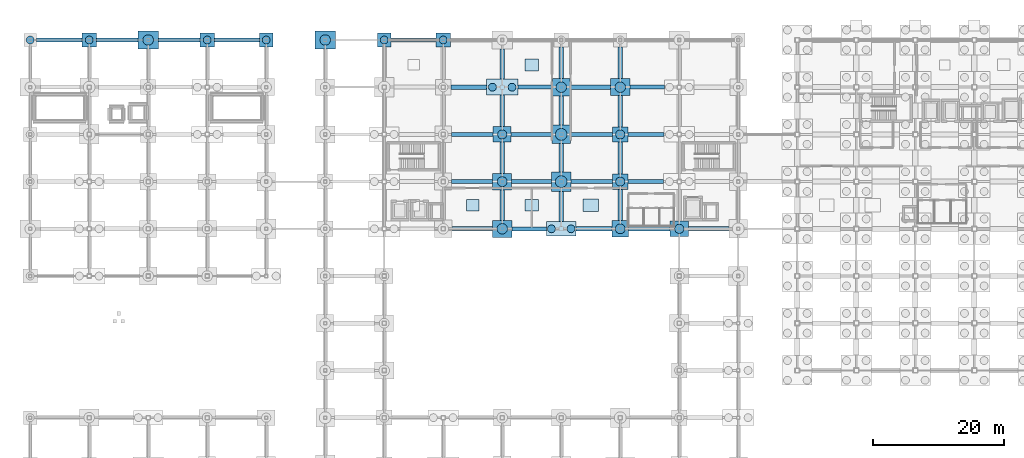
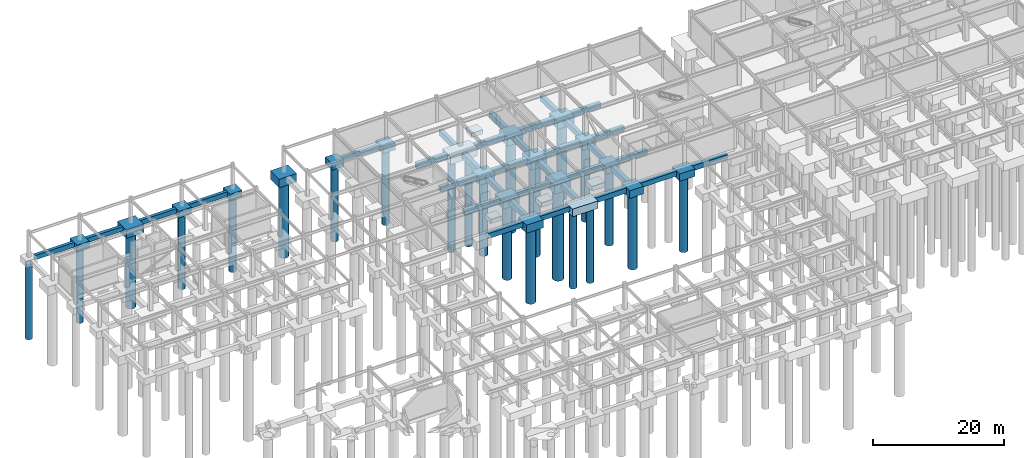
# One storey, part 7 of 28: 58 footings, 23 piles.
"""IFC4 building model written with IfcOpenShell, lengths in metres."""

from ifc_helpers import new_model, si_unit, direction, frame, origin, origin_2d, place, context, subcontext, project, spatial, rectangle, circle, extrude, material, material_profile, profile_set, type_object, element, save


model = new_model("IFC4")

# Units and contexts
model_context = context("Model", 3, precision=1e-05, world=origin(), true_north=direction((0.0, 1.0)))
body_context = subcontext(model_context, "Body", "Model", "MODEL_VIEW")
ifc_project = project(units=[si_unit("LENGTHUNIT", "METRE"), si_unit("AREAUNIT", "SQUARE_METRE"), si_unit("VOLUMEUNIT", "CUBIC_METRE"), si_unit("PLANEANGLEUNIT", "RADIAN"), si_unit("MASSUNIT", "GRAM", prefix="KILO")], contexts=[model_context])

# Site, building, storey
site_placement = place(None, origin())
site = spatial("IfcSite", under=ifc_project, at=site_placement, CompositionType="ELEMENT")
building_placement = place(site_placement, origin())
building = spatial("IfcBuilding", under=site, at=building_placement, Name="Kazanami Central Library", CompositionType="ELEMENT")
storey_placement = place(building_placement, frame((0.0, 0.0, -4.89990234375)))
storey = spatial("IfcBuildingStorey", under=building, at=storey_placement, Name="B01", CompositionType="ELEMENT", Elevation=-4.89990234375)

# Footings
ifc_material_1 = material(Name="Concrete Fc36 (36 MPa)", Category="concrete")
ifc_material_profile_1 = material_profile(ifc_material_1, rectangle(XDim=0.550048828125, YDim=0.85009765625, at=origin_2d()), Name="RC-550x850")
ifc_profile_set_1 = profile_set([ifc_material_profile_1], Name="Concrete Fc36 (36 MPa)")
footing_type_1 = type_object("IfcFootingType", Name="FTG-GB-01", PredefinedType="FOOTING_BEAM", material=ifc_profile_set_1)
footing_1_placement = place(storey_placement, frame((0.97509765625, 93.60009765625, -0.425048828125), z_axis=(1.0, 0.0, 0.0), x_axis=(0.0, 1.0, 0.0)))
element("IfcFooting", 1, at=footing_1_placement, inside=storey, type_object=footing_type_1, Name="Ground Tie Beam GB-01 O/1-2", PredefinedType="FOOTING_BEAM", context=body_context, shape_type="SweptSolid", body=[
    extrude(rectangle(XDim=0.550048828125, YDim=0.85009765625, at=origin_2d()), origin(), (0.0, 0.0, 1.0), 6.9248046875),
])
for number, where, z_axis, x_axis, name in (
    (2, (10.10009765625, 93.60009765625, -0.425048828125), (1.0, 0.0, 0.0), (0.0, 1.0, 0.0), "Ground Tie Beam GB-01 O/2-3"),
    (3, (19.550048828125, 93.60009765625, -0.425048828125), (1.0, 0.0, 0.0), (0.0, 1.0, 0.0), "Ground Tie Beam GB-01 O/3-4"),
):
    element("IfcFooting", number, at=place(storey_placement, frame(where, z_axis=z_axis, x_axis=x_axis)), inside=storey, type_object=footing_type_1, Name=name, PredefinedType="FOOTING_BEAM", context=body_context, shape_type="SweptSolid", body=[
        extrude(rectangle(XDim=0.550048828125, YDim=0.85009765625, at=origin_2d()), origin(), (0.0, 0.0, 1.0), 6.349853515625),
    ])
for number, where, z_axis, x_axis, name in (
    (4, (28.10009765625, 93.60009765625, -0.425048828125), (1.0, 0.0, 0.0), (0.0, 1.0, 0.0), "Ground Tie Beam GB-01 O/4-5"),
    (5, (55.050048828125, 93.60009765625, -1.045166015625), (1.0, 0.0, 0.0), (0.0, 1.0, 0.0), "Ground Tie Beam GB-01 O/7-8"),
):
    element("IfcFooting", number, at=place(storey_placement, frame(where, z_axis=z_axis, x_axis=x_axis)), inside=storey, type_object=footing_type_1, Name=name, PredefinedType="FOOTING_BEAM", context=body_context, shape_type="SweptSolid", body=[
        extrude(rectangle(XDim=0.550048828125, YDim=0.85009765625, at=origin_2d()), origin(), (0.0, 0.0, 1.0), 6.849853515625),
    ])
ifc_material_profile_2 = material_profile(ifc_material_1, rectangle(XDim=0.60009765625, YDim=0.89990234375, at=origin_2d()), Name="RC-600x900")
ifc_profile_set_2 = profile_set([ifc_material_profile_2], Name="Concrete Fc36 (36 MPa)")
footing_type_2 = type_object("IfcFootingType", Name="FTG-GB-02", PredefinedType="FOOTING_BEAM", material=ifc_profile_set_2)
footing_2_placement = place(storey_placement, frame((73.5, 64.800048828125, -1.070068359375), z_axis=(1.0, 0.0, 0.0), x_axis=(0.0, 1.0, 0.0)))
element("IfcFooting", 6, at=footing_2_placement, inside=storey, type_object=footing_type_2, Name="Ground Tie Beam GB-02 K/9-10", PredefinedType="FOOTING_BEAM", context=body_context, shape_type="SweptSolid", body=[
    extrude(rectangle(XDim=0.60009765625, YDim=0.89990234375, at=origin_2d()), origin(), (0.0, 0.0, 1.0), 5.25),
])
footing_3_placement = place(storey_placement, frame((91.25, 64.800048828125, -1.070068359375), z_axis=(1.0, 0.0, 0.0), x_axis=(0.0, 1.0, 0.0)))
element("IfcFooting", 7, at=footing_3_placement, inside=storey, type_object=footing_type_2, Name="Ground Tie Beam GB-02 K/11-12", PredefinedType="FOOTING_BEAM", context=body_context, shape_type="SweptSolid", body=[
    extrude(rectangle(XDim=0.60009765625, YDim=0.89990234375, at=origin_2d()), origin(), (0.0, 0.0, 1.0), 6.375),
])
footing_4_placement = place(storey_placement, frame((73.449951171875, 72.0, -1.070068359375), z_axis=(1.0, 0.0, 0.0), x_axis=(0.0, 1.0, 0.0)))
element("IfcFooting", 8, at=footing_4_placement, inside=storey, type_object=footing_type_2, Name="Ground Tie Beam GB-02 L/9-10", PredefinedType="FOOTING_BEAM", context=body_context, shape_type="SweptSolid", body=[
    extrude(rectangle(XDim=0.60009765625, YDim=0.89990234375, at=origin_2d()), origin(), (0.0, 0.0, 1.0), 6.074951171875),
])
footing_5_placement = place(storey_placement, frame((91.199951171875, 72.0, -1.070068359375), z_axis=(1.0, 0.0, 0.0), x_axis=(0.0, 1.0, 0.0)))
element("IfcFooting", 9, at=footing_5_placement, inside=storey, type_object=footing_type_2, Name="Ground Tie Beam GB-02 L/11-12", PredefinedType="FOOTING_BEAM", context=body_context, shape_type="SweptSolid", body=[
    extrude(rectangle(XDim=0.60009765625, YDim=0.89990234375, at=origin_2d()), origin(), (0.0, 0.0, 1.0), 5.400146484375),
])
footing_6_placement = place(storey_placement, frame((73.375, 79.199951171875, -1.070068359375), z_axis=(1.0, 0.0, 0.0), x_axis=(0.0, 1.0, 0.0)))
element("IfcFooting", 10, at=footing_6_placement, inside=storey, type_object=footing_type_2, Name="Ground Tie Beam GB-02 M/9-10", PredefinedType="FOOTING_BEAM", context=body_context, shape_type="SweptSolid", body=[
    extrude(rectangle(XDim=0.60009765625, YDim=0.89990234375, at=origin_2d()), origin(), (0.0, 0.0, 1.0), 6.22509765625),
])
footing_7_placement = place(storey_placement, frame((91.14990234375, 79.199951171875, -1.070068359375), z_axis=(1.0, 0.0, 0.0), x_axis=(0.0, 1.0, 0.0)))
element("IfcFooting", 11, at=footing_7_placement, inside=storey, type_object=footing_type_2, Name="Ground Tie Beam GB-02 M/11-12", PredefinedType="FOOTING_BEAM", context=body_context, shape_type="SweptSolid", body=[
    extrude(rectangle(XDim=0.60009765625, YDim=0.89990234375, at=origin_2d()), origin(), (0.0, 0.0, 1.0), 5.525146484375),
])
for number, where, z_axis, x_axis, name in (
    (12, (74.39990234375, 86.39990234375, -1.070068359375), (1.0, 0.0, 0.0), (0.0, 1.0, 0.0), "Ground Tie Beam GB-02 N/9-10"),
    (13, (91.5, 86.39990234375, -1.070068359375), (1.0, 0.0, 0.0), (0.0, 1.0, 0.0), "Ground Tie Beam GB-02 N/11-12"),
):
    element("IfcFooting", number, at=place(storey_placement, frame(where, z_axis=z_axis, x_axis=x_axis)), inside=storey, type_object=footing_type_2, Name=name, PredefinedType="FOOTING_BEAM", context=body_context, shape_type="SweptSolid", body=[
        extrude(rectangle(XDim=0.60009765625, YDim=0.89990234375, at=origin_2d()), origin(), (0.0, 0.0, 1.0), 5.25),
    ])
ifc_material_profile_3 = material_profile(ifc_material_1, rectangle(XDim=0.64990234375, YDim=0.949951171875, at=origin_2d()), Name="RC-650x950")
ifc_profile_set_3 = profile_set([ifc_material_profile_3], Name="Concrete Fc36 (36 MPa)")
footing_type_3 = type_object("IfcFootingType", Name="FTG-GB-03", PredefinedType="FOOTING_BEAM", material=ifc_profile_set_3)
footing_8_placement = place(storey_placement, frame((64.35009765625, 64.800048828125, -1.09521484375), z_axis=(1.0, 0.0, 0.0), x_axis=(0.0, 1.0, 0.0)))
element("IfcFooting", 14, at=footing_8_placement, inside=storey, type_object=footing_type_3, Name="Ground Tie Beam GB-03 K/8-9", PredefinedType="FOOTING_BEAM", context=body_context, shape_type="SweptSolid", body=[
    extrude(rectangle(XDim=0.64990234375, YDim=0.949951171875, at=origin_2d()), origin(), (0.0, 0.0, 1.0), 6.14990234375),
])
footing_9_placement = place(storey_placement, frame((83.25, 64.800048828125, -1.09521484375), z_axis=(1.0, 0.0, 0.0), x_axis=(0.0, 1.0, 0.0)))
element("IfcFooting", 15, at=footing_9_placement, inside=storey, type_object=footing_type_3, Name="Ground Tie Beam GB-03 K/10-11", PredefinedType="FOOTING_BEAM", context=body_context, shape_type="SweptSolid", body=[
    extrude(rectangle(XDim=0.64990234375, YDim=0.949951171875, at=origin_2d()), origin(), (0.0, 0.0, 1.0), 5.5),
])
footing_10_placement = place(storey_placement, frame((100.375, 64.800048828125, -1.09521484375), z_axis=(1.0, 0.0, 0.0), x_axis=(0.0, 1.0, 0.0)))
element("IfcFooting", 16, at=footing_10_placement, inside=storey, type_object=footing_type_3, Name="Ground Tie Beam GB-03 K/12-13", PredefinedType="FOOTING_BEAM", context=body_context, shape_type="SweptSolid", body=[
    extrude(rectangle(XDim=0.64990234375, YDim=0.949951171875, at=origin_2d()), origin(), (0.0, 0.0, 1.0), 6.22509765625),
])
footing_11_placement = place(storey_placement, frame((64.300048828125, 72.0, -1.09521484375), z_axis=(1.0, 0.0, 0.0), x_axis=(0.0, 1.0, 0.0)))
element("IfcFooting", 17, at=footing_11_placement, inside=storey, type_object=footing_type_3, Name="Ground Tie Beam GB-03 L/8-9", PredefinedType="FOOTING_BEAM", context=body_context, shape_type="SweptSolid", body=[
    extrude(rectangle(XDim=0.64990234375, YDim=0.949951171875, at=origin_2d()), origin(), (0.0, 0.0, 1.0), 6.25),
])
footing_12_placement = place(storey_placement, frame((82.47509765625, 72.0, -1.09521484375), z_axis=(1.0, 0.0, 0.0), x_axis=(0.0, 1.0, 0.0)))
element("IfcFooting", 18, at=footing_12_placement, inside=storey, type_object=footing_type_3, Name="Ground Tie Beam GB-03 L/10-11", PredefinedType="FOOTING_BEAM", context=body_context, shape_type="SweptSolid", body=[
    extrude(rectangle(XDim=0.64990234375, YDim=0.949951171875, at=origin_2d()), origin(), (0.0, 0.0, 1.0), 6.324951171875),
])
footing_13_placement = place(storey_placement, frame((64.25, 79.199951171875, -1.09521484375), z_axis=(1.0, 0.0, 0.0), x_axis=(0.0, 1.0, 0.0)))
element("IfcFooting", 19, at=footing_13_placement, inside=storey, type_object=footing_type_3, Name="Ground Tie Beam GB-03 M/8-9", PredefinedType="FOOTING_BEAM", context=body_context, shape_type="SweptSolid", body=[
    extrude(rectangle(XDim=0.64990234375, YDim=0.949951171875, at=origin_2d()), origin(), (0.0, 0.0, 1.0), 6.375),
])
footing_14_placement = place(storey_placement, frame((82.39990234375, 79.199951171875, -1.09521484375), z_axis=(1.0, 0.0, 0.0), x_axis=(0.0, 1.0, 0.0)))
element("IfcFooting", 20, at=footing_14_placement, inside=storey, type_object=footing_type_3, Name="Ground Tie Beam GB-03 M/10-11", PredefinedType="FOOTING_BEAM", context=body_context, shape_type="SweptSolid", body=[
    extrude(rectangle(XDim=0.64990234375, YDim=0.949951171875, at=origin_2d()), origin(), (0.0, 0.0, 1.0), 6.4501953125),
])
footing_15_placement = place(storey_placement, frame((64.199951171875, 86.39990234375, -1.09521484375), z_axis=(1.0, 0.0, 0.0), x_axis=(0.0, 1.0, 0.0)))
element("IfcFooting", 21, at=footing_15_placement, inside=storey, type_object=footing_type_3, Name="Ground Tie Beam GB-03 N/8-9", PredefinedType="FOOTING_BEAM", context=body_context, shape_type="SweptSolid", body=[
    extrude(rectangle(XDim=0.64990234375, YDim=0.949951171875, at=origin_2d()), origin(), (0.0, 0.0, 1.0), 5.400146484375),
])
footing_16_placement = place(storey_placement, frame((82.35009765625, 86.39990234375, -1.09521484375), z_axis=(1.0, 0.0, 0.0), x_axis=(0.0, 1.0, 0.0)))
element("IfcFooting", 22, at=footing_16_placement, inside=storey, type_object=footing_type_3, Name="Ground Tie Beam GB-03 N/10-11", PredefinedType="FOOTING_BEAM", context=body_context, shape_type="SweptSolid", body=[
    extrude(rectangle(XDim=0.64990234375, YDim=0.949951171875, at=origin_2d()), origin(), (0.0, 0.0, 1.0), 6.14990234375),
])
ifc_material_profile_4 = material_profile(ifc_material_1, rectangle(XDim=0.699951171875, YDim=1.0, at=origin_2d()), Name="RC-700x1000")
ifc_profile_set_4 = profile_set([ifc_material_profile_4], Name="Concrete Fc36 (36 MPa)")
footing_type_4 = type_object("IfcFootingType", Name="FTG-GB-04", PredefinedType="FOOTING_BEAM", material=ifc_profile_set_4)
footing_17_placement = place(storey_placement, frame((72.0, 66.10009765625, -1.1201171875), z_axis=(0.0, 1.0, 0.0), x_axis=(-1.0, 0.0, 0.0)))
element("IfcFooting", 23, at=footing_17_placement, inside=storey, type_object=footing_type_4, Name="Ground Tie Beam GB-04 9/K-L", PredefinedType="FOOTING_BEAM", context=body_context, shape_type="SweptSolid", body=[
    extrude(rectangle(XDim=0.699951171875, YDim=1.0, at=origin_2d()), origin(), (0.0, 0.0, 1.0), 4.64990234375),
])
footing_18_placement = place(storey_placement, frame((72.0, 73.25, -1.1201171875), z_axis=(0.0, 1.0, 0.0), x_axis=(-1.0, 0.0, 0.0)))
element("IfcFooting", 24, at=footing_18_placement, inside=storey, type_object=footing_type_4, Name="Ground Tie Beam GB-04 9/L-M", PredefinedType="FOOTING_BEAM", context=body_context, shape_type="SweptSolid", body=[
    extrude(rectangle(XDim=0.699951171875, YDim=1.0, at=origin_2d()), origin(), (0.0, 0.0, 1.0), 4.77490234375),
])
footing_19_placement = place(storey_placement, frame((72.0, 80.375, -1.1201171875), z_axis=(0.0, 1.0, 0.0), x_axis=(-1.0, 0.0, 0.0)))
element("IfcFooting", 25, at=footing_19_placement, inside=storey, type_object=footing_type_4, Name="Ground Tie Beam GB-04 9/M-N", PredefinedType="FOOTING_BEAM", context=body_context, shape_type="SweptSolid", body=[
    extrude(rectangle(XDim=0.699951171875, YDim=1.0, at=origin_2d()), origin(), (0.0, 0.0, 1.0), 4.800048828125),
])
footing_20_placement = place(storey_placement, frame((72.0, 87.625, -1.1201171875), z_axis=(0.0, 1.0, 0.0), x_axis=(-1.0, 0.0, 0.0)))
element("IfcFooting", 26, at=footing_20_placement, inside=storey, type_object=footing_type_4, Name="Ground Tie Beam GB-04 9/N-O", PredefinedType="FOOTING_BEAM", context=body_context, shape_type="SweptSolid", body=[
    extrude(rectangle(XDim=0.699951171875, YDim=1.0, at=origin_2d()), origin(), (0.0, 0.0, 1.0), 4.625),
])
footing_21_placement = place(storey_placement, frame((81.0, 65.925048828125, -1.1201171875), z_axis=(0.0, 1.0, 0.0), x_axis=(-1.0, 0.0, 0.0)))
element("IfcFooting", 27, at=footing_21_placement, inside=storey, type_object=footing_type_4, Name="Ground Tie Beam GB-04 10/K-L", PredefinedType="FOOTING_BEAM", context=body_context, shape_type="SweptSolid", body=[
    extrude(rectangle(XDim=0.699951171875, YDim=1.0, at=origin_2d()), origin(), (0.0, 0.0, 1.0), 4.599853515625),
])
footing_22_placement = place(storey_placement, frame((81.0, 73.47509765625, -1.1201171875), z_axis=(0.0, 1.0, 0.0), x_axis=(-1.0, 0.0, 0.0)))
element("IfcFooting", 28, at=footing_22_placement, inside=storey, type_object=footing_type_4, Name="Ground Tie Beam GB-04 10/L-M", PredefinedType="FOOTING_BEAM", context=body_context, shape_type="SweptSolid", body=[
    extrude(rectangle(XDim=0.699951171875, YDim=1.0, at=origin_2d()), origin(), (0.0, 0.0, 1.0), 4.324951171875),
])
footing_23_placement = place(storey_placement, frame((81.0, 80.60009765625, -1.1201171875), z_axis=(0.0, 1.0, 0.0), x_axis=(-1.0, 0.0, 0.0)))
element("IfcFooting", 29, at=footing_23_placement, inside=storey, type_object=footing_type_4, Name="Ground Tie Beam GB-04 10/M-N", PredefinedType="FOOTING_BEAM", context=body_context, shape_type="SweptSolid", body=[
    extrude(rectangle(XDim=0.699951171875, YDim=1.0, at=origin_2d()), origin(), (0.0, 0.0, 1.0), 4.449951171875),
])
for number, where, z_axis, x_axis, name in (
    (30, (81.0, 87.75, -1.1201171875), (0.0, 1.0, 0.0), (-1.0, 0.0, 0.0), "Ground Tie Beam GB-04 10/N-O"),
    (31, (90.0, 66.050048828125, -1.1201171875), (0.0, 1.0, 0.0), (-1.0, 0.0, 0.0), "Ground Tie Beam GB-04 11/K-L"),
):
    element("IfcFooting", number, at=place(storey_placement, frame(where, z_axis=z_axis, x_axis=x_axis)), inside=storey, type_object=footing_type_4, Name=name, PredefinedType="FOOTING_BEAM", context=body_context, shape_type="SweptSolid", body=[
        extrude(rectangle(XDim=0.699951171875, YDim=1.0, at=origin_2d()), origin(), (0.0, 0.0, 1.0), 4.75),
    ])
footing_24_placement = place(storey_placement, frame((90.0, 73.199951171875, -1.1201171875), z_axis=(0.0, 1.0, 0.0), x_axis=(-1.0, 0.0, 0.0)))
element("IfcFooting", 32, at=footing_24_placement, inside=storey, type_object=footing_type_4, Name="Ground Tie Beam GB-04 11/L-M", PredefinedType="FOOTING_BEAM", context=body_context, shape_type="SweptSolid", body=[
    extrude(rectangle(XDim=0.699951171875, YDim=1.0, at=origin_2d()), origin(), (0.0, 0.0, 1.0), 4.85009765625),
])
footing_25_placement = place(storey_placement, frame((90.0, 80.35009765625, -1.1201171875), z_axis=(0.0, 1.0, 0.0), x_axis=(-1.0, 0.0, 0.0)))
element("IfcFooting", 33, at=footing_25_placement, inside=storey, type_object=footing_type_4, Name="Ground Tie Beam GB-04 11/M-N", PredefinedType="FOOTING_BEAM", context=body_context, shape_type="SweptSolid", body=[
    extrude(rectangle(XDim=0.699951171875, YDim=1.0, at=origin_2d()), origin(), (0.0, 0.0, 1.0), 4.75),
])
footing_26_placement = place(storey_placement, frame((90.0, 87.699951171875, -1.1201171875), z_axis=(0.0, 1.0, 0.0), x_axis=(-1.0, 0.0, 0.0)))
element("IfcFooting", 34, at=footing_26_placement, inside=storey, type_object=footing_type_4, Name="Ground Tie Beam GB-04 11/N-O", PredefinedType="FOOTING_BEAM", context=body_context, shape_type="SweptSolid", body=[
    extrude(rectangle(XDim=0.699951171875, YDim=1.0, at=origin_2d()), origin(), (0.0, 0.0, 1.0), 4.85009765625),
])
footing_type_5 = type_object("IfcFootingType", Name="FTG-PC-04", PredefinedType="PILE_CAP", material=ifc_material_1)
footing_27_placement = place(storey_placement, frame((72.0, 86.39990234375, -2.169921875), z_axis=(0.0, 0.0, 1.0), x_axis=(1.0, 0.0, 0.0)))
element("IfcFooting", 35, at=footing_27_placement, inside=storey, type_object=footing_type_5, Name="Pile Cap PC-04 at 9/N", PredefinedType="PILE_CAP", context=body_context, shape_type="SweptSolid", body=[
    extrude(rectangle(XDim=4.800048828125, YDim=2.449951171875, at=origin_2d()), origin(), (0.0, 0.0, 1.0), 1.550048828125),
])
footing_type_6 = type_object("IfcFootingType", Name="FTG-PC-06", PredefinedType="PILE_CAP", material=ifc_material_1)
footing_28_placement = place(storey_placement, frame((81.0, 64.800048828125, -2.0400390625), z_axis=(0.0, 0.0, 1.0), x_axis=(1.0, 0.0, 0.0)))
element("IfcFooting", 36, at=footing_28_placement, inside=storey, type_object=footing_type_6, Name="Pile Cap PC-06 at 10/K", PredefinedType="PILE_CAP", context=body_context, shape_type="SweptSolid", body=[
    extrude(rectangle(XDim=4.5, YDim=2.25, at=origin_2d()), origin(), (0.0, 0.0, 1.0), 1.419921875),
])
footing_type_7 = type_object("IfcFootingType", Name="FTG-PC-07", PredefinedType="PILE_CAP", material=ifc_material_1)
footing_29_placement = place(storey_placement, frame((81.0, 72.0, -2.27001953125), z_axis=(0.0, 0.0, 1.0), x_axis=(1.0, 0.0, 0.0)))
element("IfcFooting", 37, at=footing_29_placement, inside=storey, type_object=footing_type_7, Name="Pile Cap PC-07 at 10/L", PredefinedType="PILE_CAP", context=body_context, shape_type="SweptSolid", body=[
    extrude(rectangle(XDim=2.949951171875, YDim=2.949951171875, at=origin_2d()), origin(), (0.0, 0.0, 1.0), 1.64990234375),
])
footing_type_8 = type_object("IfcFootingType", Name="FTG-PC-08", PredefinedType="PILE_CAP", material=ifc_material_1)
footing_30_placement = place(storey_placement, frame((81.0, 79.199951171875, -2.22021484375), z_axis=(0.0, 0.0, 1.0), x_axis=(1.0, 0.0, 0.0)))
element("IfcFooting", 38, at=footing_30_placement, inside=storey, type_object=footing_type_8, Name="Pile Cap PC-08 at 10/M", PredefinedType="PILE_CAP", context=body_context, shape_type="SweptSolid", body=[
    extrude(rectangle(XDim=2.800048828125, YDim=2.800048828125, at=origin_2d()), origin(), (0.0, 0.0, 1.0), 1.60009765625),
])
footing_type_9 = type_object("IfcFootingType", Name="FTG-PC-09", PredefinedType="PILE_CAP", material=ifc_material_1)
footing_31_placement = place(storey_placement, frame((81.0, 86.39990234375, -2.14013671875), z_axis=(0.0, 0.0, 1.0), x_axis=(1.0, 0.0, 0.0)))
element("IfcFooting", 39, at=footing_31_placement, inside=storey, type_object=footing_type_9, Name="Pile Cap PC-09 at 10/N", PredefinedType="PILE_CAP", context=body_context, shape_type="SweptSolid", body=[
    extrude(rectangle(XDim=2.699951171875, YDim=2.699951171875, at=origin_2d()), origin(), (0.0, 0.0, 1.0), 1.52001953125),
])
footing_type_10 = type_object("IfcFootingType", Name="FTG-PC-11", PredefinedType="PILE_CAP", material=ifc_material_1)
footing_32_placement = place(storey_placement, frame((90.0, 64.800048828125, -2.0400390625), z_axis=(0.0, 0.0, 1.0), x_axis=(1.0, 0.0, 0.0)))
element("IfcFooting", 40, at=footing_32_placement, inside=storey, type_object=footing_type_10, Name="Pile Cap PC-11 at 11/K", PredefinedType="PILE_CAP", context=body_context, shape_type="SweptSolid", body=[
    extrude(rectangle(XDim=2.5, YDim=2.5, at=origin_2d()), origin(), (0.0, 0.0, 1.0), 1.419921875),
])
footing_type_11 = type_object("IfcFootingType", Name="FTG-PC-12", PredefinedType="PILE_CAP", material=ifc_material_1)
footing_33_placement = place(storey_placement, frame((90.0, 72.0, -1.97998046875), z_axis=(0.0, 0.0, 1.0), x_axis=(1.0, 0.0, 0.0)))
element("IfcFooting", 41, at=footing_33_placement, inside=storey, type_object=footing_type_11, Name="Pile Cap PC-12 at 11/L", PredefinedType="PILE_CAP", context=body_context, shape_type="SweptSolid", body=[
    extrude(rectangle(XDim=2.39990234375, YDim=2.39990234375, at=origin_2d()), origin(), (0.0, 0.0, 1.0), 1.360107421875),
])
footing_type_12 = type_object("IfcFootingType", Name="FTG-PC-13", PredefinedType="PILE_CAP", material=ifc_material_1)
footing_34_placement = place(storey_placement, frame((90.0, 79.199951171875, -1.919921875), z_axis=(0.0, 0.0, 1.0), x_axis=(1.0, 0.0, 0.0)))
element("IfcFooting", 42, at=footing_34_placement, inside=storey, type_object=footing_type_12, Name="Pile Cap PC-13 at 11/M", PredefinedType="PILE_CAP", context=body_context, shape_type="SweptSolid", body=[
    extrude(rectangle(XDim=2.300048828125, YDim=2.300048828125, at=origin_2d()), origin(), (0.0, 0.0, 1.0), 1.300048828125),
])
footing_type_13 = type_object("IfcFootingType", Name="FTG-PC-14", PredefinedType="PILE_CAP", material=ifc_material_1)
for number, where, z_axis, x_axis, name in (
    (43, (9.0, 93.60009765625, -1.25), (0.0, 0.0, 1.0), (1.0, 0.0, 0.0), "Pile Cap PC-14 at 2/O"),
    (44, (27.0, 93.60009765625, -1.25), (0.0, 0.0, 1.0), (1.0, 0.0, 0.0), "Pile Cap PC-14 at 4/O"),
    (45, (63.0, 93.60009765625, -1.8701171875), (0.0, 0.0, 1.0), (1.0, 0.0, 0.0), "Pile Cap PC-14 at 8/O"),
):
    element("IfcFooting", number, at=place(storey_placement, frame(where, z_axis=z_axis, x_axis=x_axis)), inside=storey, type_object=footing_type_13, Name=name, PredefinedType="PILE_CAP", context=body_context, shape_type="SweptSolid", body=[
        extrude(rectangle(XDim=2.199951171875, YDim=2.199951171875, at=origin_2d()), origin(), (0.0, 0.0, 1.0), 1.25),
    ])
footing_type_14 = type_object("IfcFootingType", Name="FTG-PC-15", PredefinedType="PILE_CAP", material=ifc_material_1)
for number, where, z_axis, x_axis, name in (
    (46, (36.0, 93.60009765625, -1.2001953125), (0.0, 0.0, 1.0), (1.0, 0.0, 0.0), "Pile Cap PC-15 at 5/O"),
    (47, (54.0, 93.60009765625, -1.8203125), (0.0, 0.0, 1.0), (1.0, 0.0, 0.0), "Pile Cap PC-15 at 7/O"),
):
    element("IfcFooting", number, at=place(storey_placement, frame(where, z_axis=z_axis, x_axis=x_axis)), inside=storey, type_object=footing_type_14, Name=name, PredefinedType="PILE_CAP", context=body_context, shape_type="SweptSolid", body=[
        extrude(rectangle(XDim=2.10009765625, YDim=2.10009765625, at=origin_2d()), origin(), (0.0, 0.0, 1.0), 1.199951171875),
    ])
footing_type_15 = type_object("IfcFootingType", Name="FTG-PC-17", PredefinedType="PILE_CAP", material=ifc_material_1)
for number, where, z_axis, x_axis, name in (
    (48, (18.0, 93.60009765625, -1.580078125), (0.0, 0.0, 1.0), (1.0, 0.0, 0.0), "Pile Cap PC-17 at 3/O"),
    (49, (45.0, 93.60009765625, -1.580078125), (0.0, 0.0, 1.0), (1.0, 0.0, 0.0), "Pile Cap PC-17 at 6/O"),
):
    element("IfcFooting", number, at=place(storey_placement, frame(where, z_axis=z_axis, x_axis=x_axis)), inside=storey, type_object=footing_type_15, Name=name, PredefinedType="PILE_CAP", context=body_context, shape_type="SweptSolid", body=[
        extrude(rectangle(XDim=3.10009765625, YDim=2.699951171875, at=origin_2d()), origin(), (0.0, 0.0, 1.0), 1.580078125),
    ])
footing_type_16 = type_object("IfcFootingType", Name="FTG-PC-18", PredefinedType="PILE_CAP", material=ifc_material_1)
for number, where, z_axis, x_axis, name in (
    (50, (72.0, 64.800048828125, -2.1201171875), (0.0, 0.0, 1.0), (1.0, 0.0, 0.0), "Pile Cap PC-18 at 9/K"),
    (51, (90.0, 86.39990234375, -2.1201171875), (0.0, 0.0, 1.0), (1.0, 0.0, 0.0), "Pile Cap PC-18 at 11/N"),
):
    element("IfcFooting", number, at=place(storey_placement, frame(where, z_axis=z_axis, x_axis=x_axis)), inside=storey, type_object=footing_type_16, Name=name, PredefinedType="PILE_CAP", context=body_context, shape_type="SweptSolid", body=[
        extrude(rectangle(XDim=3.0, YDim=2.60009765625, at=origin_2d()), origin(), (0.0, 0.0, 1.0), 1.5),
    ])
footing_type_17 = type_object("IfcFootingType", Name="FTG-PC-19", PredefinedType="PILE_CAP", material=ifc_material_1)
footing_35_placement = place(storey_placement, frame((72.0, 72.0, -2.06005859375), z_axis=(0.0, 0.0, 1.0), x_axis=(1.0, 0.0, 0.0)))
element("IfcFooting", 52, at=footing_35_placement, inside=storey, type_object=footing_type_17, Name="Pile Cap PC-19 at 9/L", PredefinedType="PILE_CAP", context=body_context, shape_type="SweptSolid", body=[
    extrude(rectangle(XDim=2.89990234375, YDim=2.5, at=origin_2d()), origin(), (0.0, 0.0, 1.0), 1.43994140625),
])
footing_type_18 = type_object("IfcFootingType", Name="FTG-PC-20", PredefinedType="PILE_CAP", material=ifc_material_1)
for number, where, z_axis, x_axis, name in (
    (53, (72.0, 79.199951171875, -2.0), (0.0, 0.0, 1.0), (1.0, 0.0, 0.0), "Pile Cap PC-20 at 9/M"),
    (54, (99.0, 64.800048828125, -2.0), (0.0, 0.0, 1.0), (1.0, 0.0, 0.0), "Pile Cap PC-20 at 12/K"),
):
    element("IfcFooting", number, at=place(storey_placement, frame(where, z_axis=z_axis, x_axis=x_axis)), inside=storey, type_object=footing_type_18, Name=name, PredefinedType="PILE_CAP", context=body_context, shape_type="SweptSolid", body=[
        extrude(rectangle(XDim=2.75, YDim=2.35009765625, at=origin_2d()), origin(), (0.0, 0.0, 1.0), 1.3798828125),
    ])
ifc_material_2 = material(Name="Concrete Fc30 (30 MPa)", Category="concrete")
footing_type_19 = type_object("IfcFootingType", Name="FTG-PF-02", PredefinedType="PAD_FOOTING", material=ifc_material_2)
footing_36_placement = place(storey_placement, frame((67.5, 68.39990234375, -1.419921875), z_axis=(0.0, 0.0, 1.0), x_axis=(1.0, 0.0, 0.0)))
element("IfcFooting", 55, at=footing_36_placement, inside=storey, type_object=footing_type_19, Name="Equipment Pad Footing PF-02", PredefinedType="PAD_FOOTING", context=body_context, shape_type="SweptSolid", body=[
    extrude(rectangle(XDim=1.89990234375, YDim=1.699951171875, at=origin_2d()), origin(), (0.0, 0.0, 1.0), 0.800048828125),
])
footing_type_20 = type_object("IfcFootingType", Name="FTG-PF-03", PredefinedType="PAD_FOOTING", material=ifc_material_2)
footing_37_placement = place(storey_placement, frame((76.5, 68.39990234375, -1.47021484375), z_axis=(0.0, 0.0, 1.0), x_axis=(1.0, 0.0, 0.0)))
element("IfcFooting", 56, at=footing_37_placement, inside=storey, type_object=footing_type_20, Name="Equipment Pad Footing PF-03", PredefinedType="PAD_FOOTING", context=body_context, shape_type="SweptSolid", body=[
    extrude(rectangle(XDim=2.10009765625, YDim=1.800048828125, at=origin_2d()), origin(), (0.0, 0.0, 1.0), 0.85009765625),
])
footing_type_21 = type_object("IfcFootingType", Name="FTG-PF-04", PredefinedType="PAD_FOOTING", material=ifc_material_2)
footing_38_placement = place(storey_placement, frame((85.5, 68.39990234375, -1.52001953125), z_axis=(0.0, 0.0, 1.0), x_axis=(1.0, 0.0, 0.0)))
element("IfcFooting", 57, at=footing_38_placement, inside=storey, type_object=footing_type_21, Name="Equipment Pad Footing PF-04", PredefinedType="PAD_FOOTING", context=body_context, shape_type="SweptSolid", body=[
    extrude(rectangle(XDim=2.300048828125, YDim=1.89990234375, at=origin_2d()), origin(), (0.0, 0.0, 1.0), 0.89990234375),
])
footing_type_22 = type_object("IfcFootingType", Name="FTG-PF-06", PredefinedType="PAD_FOOTING", material=ifc_material_2)
footing_39_placement = place(storey_placement, frame((76.5, 89.800048828125, -1.419921875), z_axis=(0.0, 0.0, 1.0), x_axis=(1.0, 0.0, 0.0)))
element("IfcFooting", 58, at=footing_39_placement, inside=storey, type_object=footing_type_22, Name="Equipment Pad Footing PF-06", PredefinedType="PAD_FOOTING", context=body_context, shape_type="SweptSolid", body=[
    extrude(rectangle(XDim=2.0, YDim=1.800048828125, at=origin_2d()), origin(), (0.0, 0.0, 1.0), 0.800048828125),
])

# Piles
ifc_material_profile_5 = material_profile(ifc_material_1, circle(Radius=0.60009765625, at=origin_2d()), Name="BORED-D1200")
ifc_profile_set_5 = profile_set([ifc_material_profile_5], Name="Concrete Fc36 (36 MPa)")
pile_type_1 = type_object("IfcPileType", Name="PIL-PL-12", PredefinedType="BORED", material=ifc_profile_set_5)
for number, where, z_axis, x_axis, name in (
    (59, (0.0, 93.60009765625, -1.150146484375), (0.0, 0.0, -1.0), (1.0, 0.0, 0.0), "Bored Pile PL-12 1/O-1"),
    (60, (9.0, 93.60009765625, -1.25), (0.0, 0.0, -1.0), (1.0, 0.0, 0.0), "Bored Pile PL-12 2/O-1"),
    (61, (27.0, 93.60009765625, -1.25), (0.0, 0.0, -1.0), (1.0, 0.0, 0.0), "Bored Pile PL-12 4/O-1"),
    (62, (36.0, 93.60009765625, -1.2001953125), (0.0, 0.0, -1.0), (1.0, 0.0, 0.0), "Bored Pile PL-12 5/O-1"),
    (63, (54.0, 93.60009765625, -1.820068359375), (0.0, 0.0, -1.0), (1.0, 0.0, 0.0), "Bored Pile PL-12 7/O-1"),
    (64, (63.0, 93.60009765625, -1.8701171875), (0.0, 0.0, -1.0), (1.0, 0.0, 0.0), "Bored Pile PL-12 8/O-1"),
):
    element("IfcPile", number, at=place(storey_placement, frame(where, z_axis=z_axis, x_axis=x_axis)), inside=storey, type_object=pile_type_1, Name=name, PredefinedType="BORED", context=body_context, shape_type="SweptSolid", body=[
        extrude(circle(Radius=0.60009765625, at=origin_2d()), origin(), (0.0, 0.0, 1.0), 14.0),
    ])
for number, where, z_axis, x_axis, name in (
    (65, (70.5, 86.39990234375, -2.170166015625), (0.0, 0.0, -1.0), (1.0, 0.0, 0.0), "Bored Pile PL-12 9/N-1"),
    (66, (73.5, 86.39990234375, -2.170166015625), (0.0, 0.0, -1.0), (1.0, 0.0, 0.0), "Bored Pile PL-12 9/N-2"),
):
    element("IfcPile", number, at=place(storey_placement, frame(where, z_axis=z_axis, x_axis=x_axis)), inside=storey, type_object=pile_type_1, Name=name, PredefinedType="BORED", context=body_context, shape_type="SweptSolid", body=[
        extrude(circle(Radius=0.60009765625, at=origin_2d()), origin(), (0.0, 0.0, 1.0), 17.0),
    ])
for number, where, z_axis, x_axis, name in (
    (67, (79.5, 64.800048828125, -2.0400390625), (0.0, 0.0, -1.0), (1.0, 0.0, 0.0), "Bored Pile PL-12 10/K-1"),
    (68, (82.5, 64.800048828125, -2.0400390625), (0.0, 0.0, -1.0), (1.0, 0.0, 0.0), "Bored Pile PL-12 10/K-2"),
):
    element("IfcPile", number, at=place(storey_placement, frame(where, z_axis=z_axis, x_axis=x_axis)), inside=storey, type_object=pile_type_1, Name=name, PredefinedType="BORED", context=body_context, shape_type="SweptSolid", body=[
        extrude(circle(Radius=0.60009765625, at=origin_2d()), origin(), (0.0, 0.0, 1.0), 14.0),
    ])
ifc_material_profile_6 = material_profile(ifc_material_1, circle(Radius=0.699951171875, at=origin_2d()), Name="BORED-D1400")
ifc_profile_set_6 = profile_set([ifc_material_profile_6], Name="Concrete Fc36 (36 MPa)")
pile_type_2 = type_object("IfcPileType", Name="PIL-PL-14", PredefinedType="BORED", material=ifc_profile_set_6)
for number, where, z_axis, x_axis, name in (
    (69, (72.0, 79.199951171875, -2.0), (0.0, 0.0, -1.0), (1.0, 0.0, 0.0), "Bored Pile PL-14 9/M-1"),
    (70, (90.0, 72.0, -1.97998046875), (0.0, 0.0, -1.0), (1.0, 0.0, 0.0), "Bored Pile PL-14 11/L-1"),
    (71, (90.0, 79.199951171875, -1.920166015625), (0.0, 0.0, -1.0), (1.0, 0.0, 0.0), "Bored Pile PL-14 11/M-1"),
    (72, (99.0, 64.800048828125, -2.0), (0.0, 0.0, -1.0), (1.0, 0.0, 0.0), "Bored Pile PL-14 12/K-1"),
):
    element("IfcPile", number, at=place(storey_placement, frame(where, z_axis=z_axis, x_axis=x_axis)), inside=storey, type_object=pile_type_2, Name=name, PredefinedType="BORED", context=body_context, shape_type="SweptSolid", body=[
        extrude(circle(Radius=0.699951171875, at=origin_2d()), origin(), (0.0, 0.0, 1.0), 14.0),
    ])
ifc_material_profile_7 = material_profile(ifc_material_1, circle(Radius=0.75, at=origin_2d()), Name="BORED-D1500")
ifc_profile_set_7 = profile_set([ifc_material_profile_7], Name="Concrete Fc36 (36 MPa)")
pile_type_3 = type_object("IfcPileType", Name="PIL-PL-15", PredefinedType="BORED", material=ifc_profile_set_7)
for number, where, z_axis, x_axis, name in (
    (73, (72.0, 72.0, -2.06005859375), (0.0, 0.0, -1.0), (1.0, 0.0, 0.0), "Bored Pile PL-15 9/L-1"),
    (74, (90.0, 64.800048828125, -2.0400390625), (0.0, 0.0, -1.0), (1.0, 0.0, 0.0), "Bored Pile PL-15 11/K-1"),
):
    element("IfcPile", number, at=place(storey_placement, frame(where, z_axis=z_axis, x_axis=x_axis)), inside=storey, type_object=pile_type_3, Name=name, PredefinedType="BORED", context=body_context, shape_type="SweptSolid", body=[
        extrude(circle(Radius=0.75, at=origin_2d()), origin(), (0.0, 0.0, 1.0), 14.0),
    ])
ifc_material_profile_8 = material_profile(ifc_material_1, circle(Radius=0.800048828125, at=origin_2d()), Name="BORED-D1600")
ifc_profile_set_8 = profile_set([ifc_material_profile_8], Name="Concrete Fc36 (36 MPa)")
pile_type_4 = type_object("IfcPileType", Name="PIL-PL-16", PredefinedType="BORED", material=ifc_profile_set_8)
for number, where, z_axis, x_axis, name in (
    (75, (18.0, 93.60009765625, -1.580078125), (0.0, 0.0, -1.0), (1.0, 0.0, 0.0), "Bored Pile PL-16 3/O-1"),
    (76, (45.0, 93.60009765625, -1.580078125), (0.0, 0.0, -1.0), (1.0, 0.0, 0.0), "Bored Pile PL-16 6/O-1"),
    (77, (72.0, 64.800048828125, -2.1201171875), (0.0, 0.0, -1.0), (1.0, 0.0, 0.0), "Bored Pile PL-16 9/K-1"),
):
    element("IfcPile", number, at=place(storey_placement, frame(where, z_axis=z_axis, x_axis=x_axis)), inside=storey, type_object=pile_type_4, Name=name, PredefinedType="BORED", context=body_context, shape_type="SweptSolid", body=[
        extrude(circle(Radius=0.800048828125, at=origin_2d()), origin(), (0.0, 0.0, 1.0), 14.0),
    ])
pile_1_placement = place(storey_placement, frame((81.0, 86.39990234375, -2.14013671875), z_axis=(0.0, 0.0, -1.0), x_axis=(1.0, 0.0, 0.0)))
element("IfcPile", 78, at=pile_1_placement, inside=storey, type_object=pile_type_4, Name="Bored Pile PL-16 10/N-1", PredefinedType="BORED", context=body_context, shape_type="SweptSolid", body=[
    extrude(circle(Radius=0.800048828125, at=origin_2d()), origin(), (0.0, 0.0, 1.0), 17.0),
])
pile_2_placement = place(storey_placement, frame((90.0, 86.39990234375, -2.1201171875), z_axis=(0.0, 0.0, -1.0), x_axis=(1.0, 0.0, 0.0)))
element("IfcPile", 79, at=pile_2_placement, inside=storey, type_object=pile_type_4, Name="Bored Pile PL-16 11/N-1", PredefinedType="BORED", context=body_context, shape_type="SweptSolid", body=[
    extrude(circle(Radius=0.800048828125, at=origin_2d()), origin(), (0.0, 0.0, 1.0), 14.0),
])
ifc_material_profile_9 = material_profile(ifc_material_1, circle(Radius=0.89990234375, at=origin_2d()), Name="BORED-D1800")
ifc_profile_set_9 = profile_set([ifc_material_profile_9], Name="Concrete Fc36 (36 MPa)")
pile_type_5 = type_object("IfcPileType", Name="PIL-PL-18", PredefinedType="BORED", material=ifc_profile_set_9)
for number, where, z_axis, x_axis, name in (
    (80, (81.0, 72.0, -2.27001953125), (0.0, 0.0, -1.0), (1.0, 0.0, 0.0), "Bored Pile PL-18 10/L-1"),
    (81, (81.0, 79.199951171875, -2.22021484375), (0.0, 0.0, -1.0), (1.0, 0.0, 0.0), "Bored Pile PL-18 10/M-1"),
):
    element("IfcPile", number, at=place(storey_placement, frame(where, z_axis=z_axis, x_axis=x_axis)), inside=storey, type_object=pile_type_5, Name=name, PredefinedType="BORED", context=body_context, shape_type="SweptSolid", body=[
        extrude(circle(Radius=0.89990234375, at=origin_2d()), origin(), (0.0, 0.0, 1.0), 17.0),
    ])

save(model, "model.ifc")
